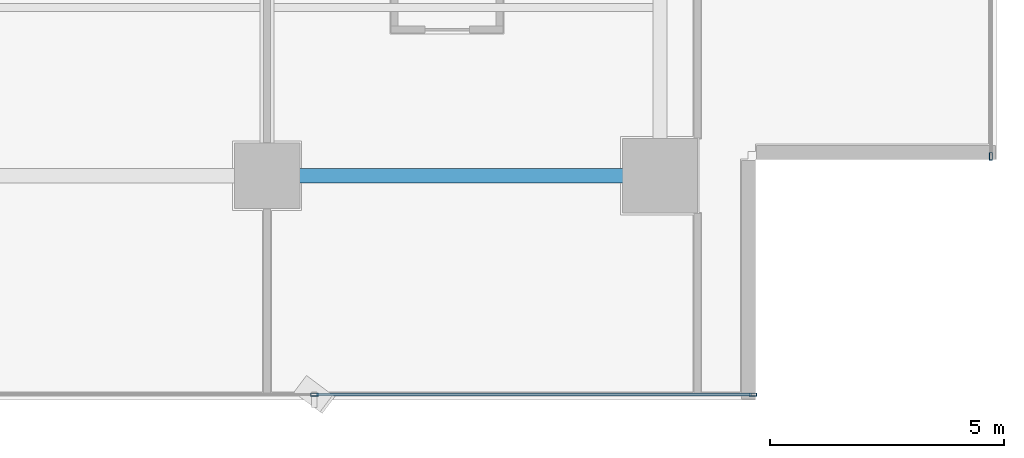
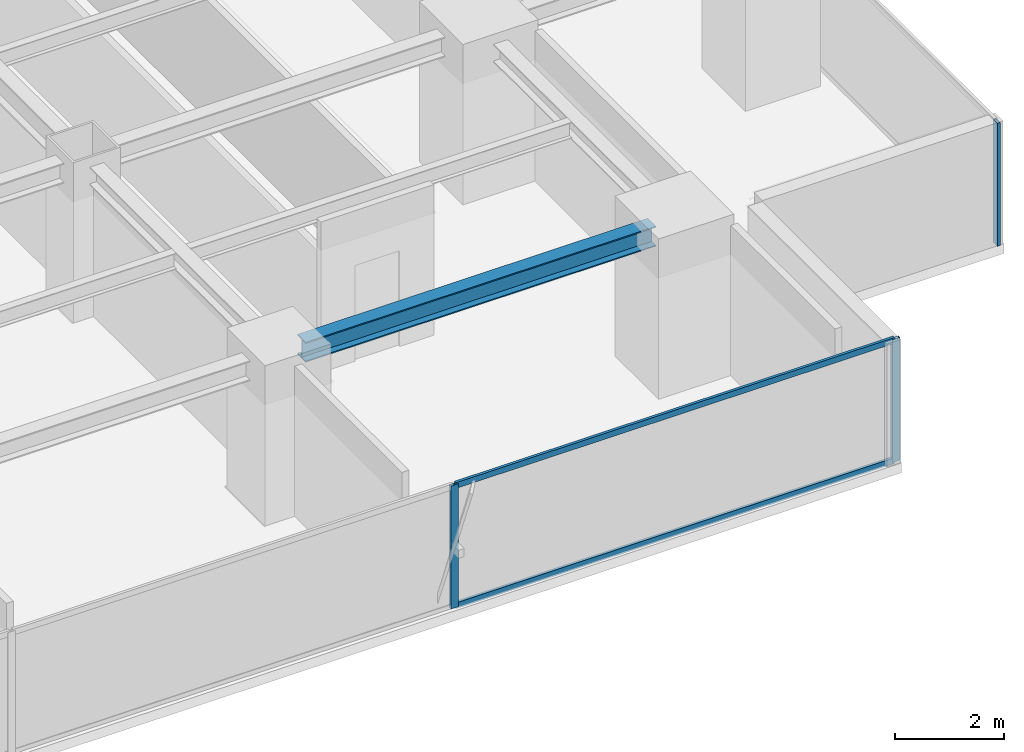
# One storey, part 9 of 28: 5 members, 1 beam, 2 elements without a shape of their own.
"""IFC4 building model written with IfcOpenShell, lengths in metres."""

from ifc_helpers import new_model, si_unit, direction, frame, origin, origin_2d, place, context, subcontext, project, spatial, hollow_rectangle, i_section, extrude, source, transform, mapped, material, layer, layer_set, material_profile, profile_set, type_object, element, aggregate, save


model = new_model("IFC4")

# Units and contexts
model_context = context("Model", 3, precision=1e-05, world=origin(), true_north=direction((0.0, 1.0)))
body_context = subcontext(model_context, "Body", "Model", "MODEL_VIEW")
ifc_project = project(units=[si_unit("LENGTHUNIT", "METRE"), si_unit("AREAUNIT", "SQUARE_METRE"), si_unit("VOLUMEUNIT", "CUBIC_METRE"), si_unit("PLANEANGLEUNIT", "RADIAN"), si_unit("MASSUNIT", "GRAM", prefix="KILO")], contexts=[model_context])

# Site, building, storey
site_placement = place(None, origin())
site = spatial("IfcSite", under=ifc_project, at=site_placement, CompositionType="ELEMENT")
building_placement = place(site_placement, origin())
building = spatial("IfcBuilding", under=site, at=building_placement, Name="Sumidabori Civic Tower", CompositionType="ELEMENT")
storey_placement = place(building_placement, frame((0.0, 0.0, 146.0)))
storey = spatial("IfcBuildingStorey", under=building, at=storey_placement, Name="L37", CompositionType="ELEMENT", Elevation=146.0)

# Beam
ifc_material_1 = material(Name="Steel SN490", Category="steel")
ifc_material_profile_1 = material_profile(ifc_material_1, i_section(OverallWidth=0.300048828125, OverallDepth=0.449951171875, WebThickness=0.013916015625, FlangeThickness=0.02587890625, at=origin_2d()), Name="HE 450 B")
ifc_profile_set_1 = profile_set([ifc_material_profile_1], Name="Steel SN490")
beam_type = type_object("IfcBeamType", Name="BM-GIRD-450", PredefinedType="BEAM", material=ifc_profile_set_1)
shared_shape_1 = source(origin(), body_context, "Body", "SweptSolid", [
    extrude(i_section(OverallWidth=0.300048828125, OverallDepth=0.449951171875, WebThickness=0.013916015625, FlangeThickness=0.02587890625, at=origin_2d()), origin(), (0.0, 0.0, 1.0), 7.440185546875),
])
beam_placement = place(storey_placement, frame((8.8798828125, -18.0, 3.155029296875), z_axis=(1.0, 0.0, 0.0), x_axis=(0.0, 1.0, 0.0)))
element("IfcBeam", 1, at=beam_placement, inside=storey, type_object=beam_type, Name="Primary Girder L37 GX-04", PredefinedType="BEAM", context=body_context, shape_type="MappedRepresentation", body=[
    mapped(shared_shape_1, transform((0.0, 0.0, 0.0), x_axis=(1.0, 0.0, 0.0), y_axis=(0.0, 1.0, 0.0), z_axis=(0.0, 0.0, 1.0), scale=1.0)),
])

# Curtain wall, members
ifc_material_2 = material(Name="Anodised Bronze Aluminium AW-6063-T6", Category="aluminium")
ifc_layer = layer(ifc_material_2, 0.179931640625, Name="Anodised Bronze Aluminium AW-6063-T6")
ifc_layer_set = layer_set([ifc_layer], Name="Anodised Bronze Aluminium AW-6063-T6")
curtain_wall_type = type_object("IfcCurtainWallType", Name="CW-SYS-3", PredefinedType="NOTDEFINED", material=ifc_layer_set)
curtain_wall_1_placement = place(storey_placement, origin())
curtain_wall_1 = element("IfcCurtainWall", 2, at=curtain_wall_1_placement, inside=storey, type_object=curtain_wall_type, Name="Curtain Wall CW:L37:R01", PredefinedType="NOTDEFINED")
ifc_material_profile_2 = material_profile(ifc_material_2, hollow_rectangle(XDim=0.06494140625, YDim=0.159912109375, WallThickness=0.0048828125, at=origin_2d()), Name="ALU MULLION 160x65")
ifc_profile_set_2 = profile_set([ifc_material_profile_2], Name="Anodised Bronze Aluminium AW-6063-T6")
member_type_1 = type_object("IfcMemberType", Name="CW-MUL-160", PredefinedType="MULLION", material=ifc_profile_set_2)
shared_shape_2 = source(origin(), body_context, "Body", "SweptSolid", [
    extrude(hollow_rectangle(XDim=0.06494140625, YDim=0.159912109375, WallThickness=0.0048828125, at=origin_2d()), origin(), (0.0, 0.0, 1.0), 2.760009765625),
])
member_1_placement = place(storey_placement, frame((9.409912109375, -22.679931640625, 0.0), z_axis=(0.0, 0.0, 1.0), x_axis=(0.0, 1.0, 0.0)))
member_1 = element("IfcMember", 3, at=member_1_placement, type_object=member_type_1, Name="CW-3 mullion 4", PredefinedType="MULLION", context=body_context, shape_type="MappedRepresentation", body=[
    mapped(shared_shape_2, transform((0.0, 0.0, 0.0), x_axis=(1.0, 0.0, 0.0), y_axis=(0.0, 1.0, 0.0), z_axis=(0.0, 0.0, 1.0), scale=1.0)),
])
member_2_placement = place(storey_placement, frame((18.78759765625, -22.679931640625, 0.0), z_axis=(0.0, 0.0, 1.0), x_axis=(0.0, 1.0, 0.0)))
member_2 = element("IfcMember", 4, at=member_2_placement, type_object=member_type_1, Name="CW-3 mullion 5", PredefinedType="MULLION", context=body_context, shape_type="MappedRepresentation", body=[
    mapped(shared_shape_2, transform((0.0, 0.0, 0.0), x_axis=(1.0, 0.0, 0.0), y_axis=(0.0, 1.0, 0.0), z_axis=(0.0, 0.0, 1.0), scale=1.0)),
])

# Curtain wall, member
curtain_wall_2_placement = place(storey_placement, origin())
curtain_wall_2 = element("IfcCurtainWall", 5, at=curtain_wall_2_placement, inside=storey, type_object=curtain_wall_type, Name="Curtain Wall CW:L37:R04", PredefinedType="NOTDEFINED")
member_3_placement = place(storey_placement, frame((23.8798828125, -17.58740234375, 0.0), z_axis=(0.0, 0.0, 1.0), x_axis=(-1.0, 0.0, 0.0)))
member_3 = element("IfcMember", 6, at=member_3_placement, type_object=member_type_1, Name="CW-3 mullion 1", PredefinedType="MULLION", context=body_context, shape_type="MappedRepresentation", body=[
    mapped(shared_shape_2, transform((0.0, 0.0, 0.0), x_axis=(1.0, 0.0, 0.0), y_axis=(0.0, 1.0, 0.0), z_axis=(0.0, 0.0, 1.0), scale=1.0)),
])
aggregate(curtain_wall_2, [member_3])

# Member
ifc_material_profile_3 = material_profile(ifc_material_2, hollow_rectangle(XDim=0.06005859375, YDim=0.1298828125, WallThickness=0.0048828125, at=origin_2d()), Name="ALU TRANSOM 130x60")
ifc_profile_set_3 = profile_set([ifc_material_profile_3], Name="Anodised Bronze Aluminium AW-6063-T6")
member_type_2 = type_object("IfcMemberType", Name="CW-TRN-130", PredefinedType="USERDEFINED", material=ifc_profile_set_3)
shared_shape_3 = source(origin(), body_context, "Body", "SweptSolid", [
    extrude(hollow_rectangle(XDim=0.06005859375, YDim=0.1298828125, WallThickness=0.0048828125, at=origin_2d()), origin(), (0.0, 0.0, 1.0), 9.3125),
])
member_4_placement = place(storey_placement, frame((9.4423828125, -22.679931640625, 0.030029296875), z_axis=(1.0, 0.0, 0.0), x_axis=(0.0, 1.0, 0.0)))
member_4 = element("IfcMember", 7, at=member_4_placement, type_object=member_type_2, Name="CW-3 transom 4.1", ObjectType="TRANSOM", PredefinedType="USERDEFINED", context=body_context, shape_type="MappedRepresentation", body=[
    mapped(shared_shape_3, transform((0.0, 0.0, 0.0), x_axis=(1.0, 0.0, 0.0), y_axis=(0.0, 1.0, 0.0), z_axis=(0.0, 0.0, 1.0), scale=1.0)),
])

member_5_placement = place(storey_placement, frame((9.4423828125, -22.679931640625, 2.72998046875), z_axis=(1.0, 0.0, 0.0), x_axis=(0.0, 1.0, 0.0)))
member_5 = element("IfcMember", 8, at=member_5_placement, type_object=member_type_2, Name="CW-3 transom 4.2", ObjectType="TRANSOM", PredefinedType="USERDEFINED", context=body_context, shape_type="MappedRepresentation", body=[
    mapped(shared_shape_3, transform((0.0, 0.0, 0.0), x_axis=(1.0, 0.0, 0.0), y_axis=(0.0, 1.0, 0.0), z_axis=(0.0, 0.0, 1.0), scale=1.0)),
])

aggregate(curtain_wall_1, [member_1, member_2, member_4, member_5])

save(model, "model.ifc")
